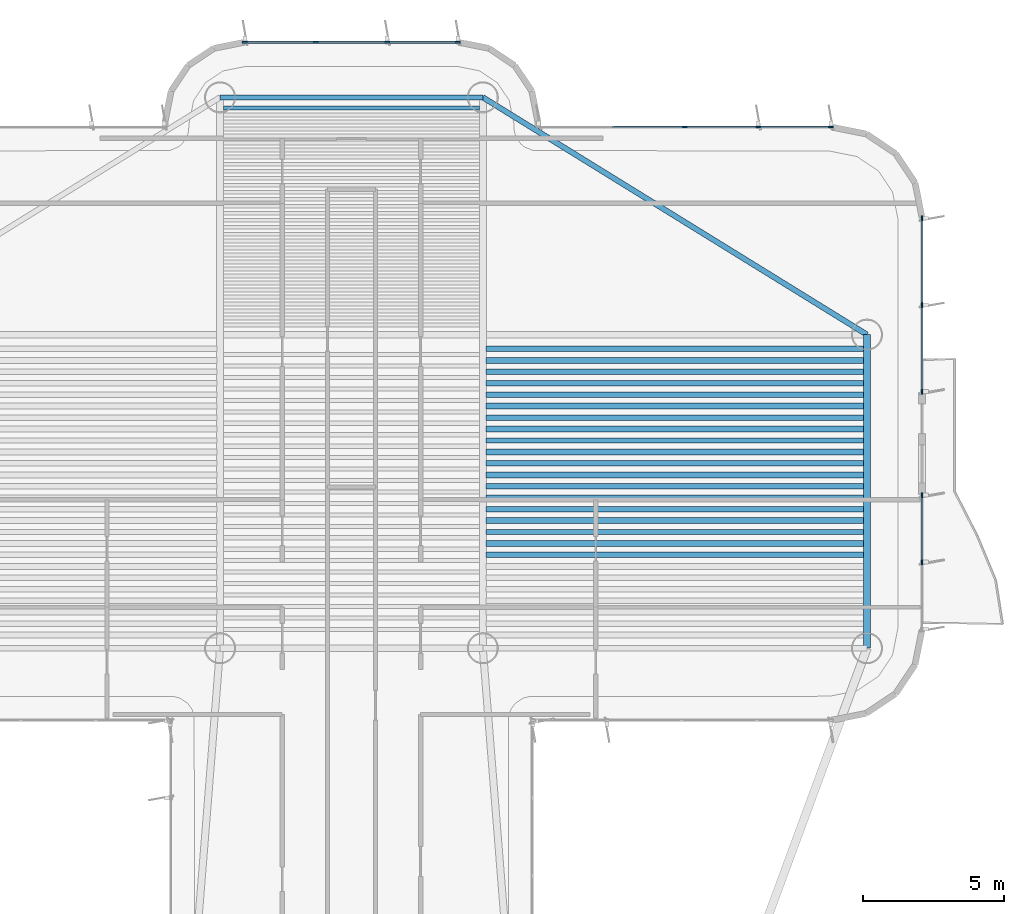
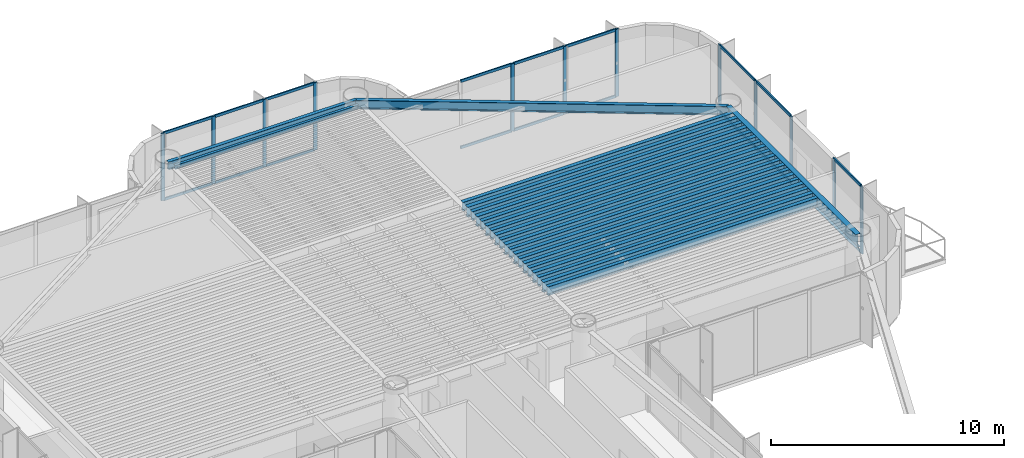
# One storey, part 7 of 14: 30 members, 23 beams, 4 elements without a shape of their own.
"""IFC4 building model written with IfcOpenShell, lengths in metres."""

from ifc_helpers import new_model, si_unit, direction, frame, origin, origin_2d, place, context, subcontext, project, spatial, rectangle, i_section, extrude, source, transform, mapped, material, layer, layer_set, material_profile, profile_set, type_object, element, aggregate, save


model = new_model("IFC4")

# Units and contexts
model_context = context("Model", 3, precision=1e-05, world=origin(), true_north=direction((0.0, 1.0)))
body_context = subcontext(model_context, "Body", "Model", "MODEL_VIEW")
ifc_project = project(units=[si_unit("LENGTHUNIT", "METRE"), si_unit("AREAUNIT", "SQUARE_METRE"), si_unit("VOLUMEUNIT", "CUBIC_METRE"), si_unit("PLANEANGLEUNIT", "RADIAN"), si_unit("MASSUNIT", "GRAM", prefix="KILO")], contexts=[model_context])

# Site, building, storey
site_placement = place(None, origin())
site = spatial("IfcSite", under=ifc_project, at=site_placement, CompositionType="ELEMENT")
building_placement = place(site_placement, origin())
building = spatial("IfcBuilding", under=site, at=building_placement, Name="Brelvock Crest Care Tower", CompositionType="ELEMENT")
storey_placement = place(building_placement, frame((0.0, 0.0, 179.10009765625)))
storey = spatial("IfcBuildingStorey", under=building, at=storey_placement, Name="L45", CompositionType="ELEMENT", Elevation=179.10009765625)

# Beams
ifc_material_1 = material(Name="Steel Grade 350", Category="steel")
ifc_material_profile_1 = material_profile(ifc_material_1, i_section(OverallWidth=0.177978515625, OverallDepth=0.406005859375, WebThickness=0.0078125, FlangeThickness=0.0126953125, FilletRadius=0.011474609375, at=origin_2d()), Name="410UB59.7")
ifc_profile_set_1 = profile_set([ifc_material_profile_1], Name="Steel Grade 350")
beam_type_1 = type_object("IfcBeamType", Name="BM-SP1", PredefinedType="SPANDREL", material=ifc_profile_set_1)
shared_shape_1 = source(origin(), body_context, "Body", "SweptSolid", [
    extrude(i_section(OverallWidth=0.177978515625, OverallDepth=0.406005859375, WebThickness=0.0078125, FlangeThickness=0.0126953125, FilletRadius=0.011474609375, at=origin_2d()), origin(), (0.0, 0.0, 1.0), 9.2998046875),
])
beam_1_placement = place(storey_placement, frame((31.35009765625, 54.449951171875, 3.326904296875), z_axis=(1.0, 0.0, 0.0), x_axis=(0.0, 1.0, 0.0)))
element("IfcBeam", 1, at=beam_1_placement, inside=storey, type_object=beam_type_1, Name="BM-TWR-L45-08", PredefinedType="SPANDREL", context=body_context, shape_type="MappedRepresentation", body=[
    mapped(shared_shape_1, transform((0.0, 0.0, 0.0), x_axis=(1.0, 0.0, 0.0), y_axis=(0.0, 1.0, 0.0), z_axis=(0.0, 0.0, 1.0), scale=1.0)),
])
ifc_material_profile_2 = material_profile(ifc_material_1, i_section(OverallWidth=0.134033203125, OverallDepth=0.20703125, WebThickness=0.00634765625, FlangeThickness=0.009521484375, FilletRadius=0.0087890625, at=origin_2d()), Name="200UB29.8")
ifc_profile_set_2 = profile_set([ifc_material_profile_2], Name="Steel Grade 350")
beam_type_2 = type_object("IfcBeamType", Name="BM-J4", PredefinedType="JOIST", material=ifc_profile_set_2)
shared_shape_2 = source(origin(), body_context, "Body", "SweptSolid", [
    extrude(i_section(OverallWidth=0.134033203125, OverallDepth=0.20703125, WebThickness=0.00634765625, FlangeThickness=0.009521484375, FilletRadius=0.0087890625, at=origin_2d()), origin(), (0.0, 0.0, 1.0), 9.06982421875),
])
beam_2_placement = place(storey_placement, frame((31.465087890625, 54.06787109375, 3.426513671875), z_axis=(1.0, 0.0, 0.0), x_axis=(0.0, 1.0, 0.0)))
element("IfcBeam", 2, at=beam_2_placement, inside=storey, type_object=beam_type_2, Name="BM-JN-L45-32", PredefinedType="JOIST", context=body_context, shape_type="MappedRepresentation", body=[
    mapped(shared_shape_2, transform((0.0, 0.0, 0.0), x_axis=(1.0, 0.0, 0.0), y_axis=(0.0, 1.0, 0.0), z_axis=(0.0, 0.0, 1.0), scale=1.0)),
])
ifc_material_profile_3 = material_profile(ifc_material_1, i_section(OverallWidth=0.208984375, OverallDepth=0.532958984375, WebThickness=0.01025390625, FlangeThickness=0.015625, FilletRadius=0.013916015625, at=origin_2d()), Name="530UB92.4")
ifc_profile_set_3 = profile_set([ifc_material_profile_3], Name="Steel Grade 350")
beam_type_3 = type_object("IfcBeamType", Name="BM-G2", PredefinedType="BEAM", material=ifc_profile_set_3)
shared_shape_3 = source(origin(), body_context, "Body", "SweptSolid", [
    extrude(i_section(OverallWidth=0.208984375, OverallDepth=0.532958984375, WebThickness=0.01025390625, FlangeThickness=0.015625, FilletRadius=0.013916015625, at=origin_2d()), origin(), (0.0, 0.0, 1.0), 13.3701171875),
])
for number, where, z_axis, x_axis, name in (
    (3, (40.764892578125, 38.657470703125, 3.263427734375), (1.0, 0.0, 0.0), (0.0, 1.0, 0.0), "BM-JE-L45-9"),
    (4, (40.764892578125, 39.4677734375, 3.263427734375), (1.0, 0.0, 0.0), (0.0, 1.0, 0.0), "BM-JE-L45-11"),
    (5, (40.764892578125, 40.278076171875, 3.263427734375), (1.0, 0.0, 0.0), (0.0, 1.0, 0.0), "BM-JE-L45-13"),
    (6, (40.764892578125, 41.08837890625, 3.263427734375), (1.0, 0.0, 0.0), (0.0, 1.0, 0.0), "BM-JE-L45-15"),
    (7, (40.764892578125, 41.898681640625, 3.263427734375), (1.0, 0.0, 0.0), (0.0, 1.0, 0.0), "BM-JE-L45-17"),
    (8, (40.764892578125, 42.708984375, 3.263427734375), (1.0, 0.0, 0.0), (0.0, 1.0, 0.0), "BM-JE-L45-19"),
    (9, (40.764892578125, 43.519287109375, 3.263427734375), (1.0, 0.0, 0.0), (0.0, 1.0, 0.0), "BM-JE-L45-21"),
    (10, (40.764892578125, 44.32958984375, 3.263427734375), (1.0, 0.0, 0.0), (0.0, 1.0, 0.0), "BM-JE-L45-23"),
    (11, (40.764892578125, 45.139892578125, 3.263427734375), (1.0, 0.0, 0.0), (0.0, 1.0, 0.0), "BM-JE-L45-25"),
):
    element("IfcBeam", number, at=place(storey_placement, frame(where, z_axis=z_axis, x_axis=x_axis)), inside=storey, type_object=beam_type_3, Name=name, PredefinedType="BEAM", context=body_context, shape_type="MappedRepresentation", body=[
        mapped(shared_shape_3, transform((0.0, 0.0, 0.0), x_axis=(1.0, 0.0, 0.0), y_axis=(0.0, 1.0, 0.0), z_axis=(0.0, 0.0, 1.0), scale=1.0)),
    ])
ifc_material_profile_4 = material_profile(ifc_material_1, i_section(OverallWidth=0.19091796875, OverallDepth=0.4599609375, WebThickness=0.010009765625, FlangeThickness=0.01611328125, FilletRadius=0.011474609375, at=origin_2d()), Name="460UB82.1")
ifc_profile_set_4 = profile_set([ifc_material_profile_4], Name="Steel Grade 350")
beam_type_4 = type_object("IfcBeamType", Name="BM-G3", PredefinedType="BEAM", material=ifc_profile_set_4)
shared_shape_4 = source(origin(), body_context, "Body", "SweptSolid", [
    extrude(i_section(OverallWidth=0.19091796875, OverallDepth=0.4599609375, WebThickness=0.010009765625, FlangeThickness=0.01611328125, FilletRadius=0.011474609375, at=origin_2d()), origin(), (0.0, 0.0, 1.0), 13.3701171875),
])
for number, where, z_axis, x_axis, name in (
    (12, (40.764892578125, 38.252197265625, 3.2998046875), (1.0, 0.0, 0.0), (0.0, 1.0, 0.0), "BM-JE-L45-8"),
    (13, (40.764892578125, 39.0625, 3.2998046875), (1.0, 0.0, 0.0), (0.0, 1.0, 0.0), "BM-JE-L45-10"),
    (14, (40.764892578125, 39.872802734375, 3.2998046875), (1.0, 0.0, 0.0), (0.0, 1.0, 0.0), "BM-JE-L45-12"),
    (15, (40.764892578125, 40.68310546875, 3.2998046875), (1.0, 0.0, 0.0), (0.0, 1.0, 0.0), "BM-JE-L45-14"),
    (16, (40.764892578125, 41.493408203125, 3.2998046875), (1.0, 0.0, 0.0), (0.0, 1.0, 0.0), "BM-JE-L45-16"),
    (17, (40.764892578125, 42.3037109375, 3.2998046875), (1.0, 0.0, 0.0), (0.0, 1.0, 0.0), "BM-JE-L45-18"),
    (18, (40.764892578125, 43.114013671875, 3.2998046875), (1.0, 0.0, 0.0), (0.0, 1.0, 0.0), "BM-JE-L45-20"),
    (19, (40.764892578125, 43.92431640625, 3.2998046875), (1.0, 0.0, 0.0), (0.0, 1.0, 0.0), "BM-JE-L45-22"),
    (20, (40.764892578125, 44.734619140625, 3.2998046875), (1.0, 0.0, 0.0), (0.0, 1.0, 0.0), "BM-JE-L45-24"),
    (21, (40.764892578125, 45.544921875, 3.2998046875), (1.0, 0.0, 0.0), (0.0, 1.0, 0.0), "BM-JE-L45-26"),
):
    element("IfcBeam", number, at=place(storey_placement, frame(where, z_axis=z_axis, x_axis=x_axis)), inside=storey, type_object=beam_type_4, Name=name, PredefinedType="BEAM", context=body_context, shape_type="MappedRepresentation", body=[
        mapped(shared_shape_4, transform((0.0, 0.0, 0.0), x_axis=(1.0, 0.0, 0.0), y_axis=(0.0, 1.0, 0.0), z_axis=(0.0, 0.0, 1.0), scale=1.0)),
    ])
ifc_material_profile_5 = material_profile(ifc_material_1, i_section(OverallWidth=0.25, OverallDepth=0.699951171875, WebThickness=0.011962890625, FlangeThickness=0.02001953125, at=origin_2d()), Name="700WB150")
ifc_profile_set_5 = profile_set([ifc_material_profile_5], Name="Steel Grade 350")
beam_type_5 = type_object("IfcBeamType", Name="BM-G4", PredefinedType="BEAM", material=ifc_profile_set_5)
shared_shape_5 = source(origin(), body_context, "Body", "SweptSolid", [
    extrude(i_section(OverallWidth=0.25, OverallDepth=0.699951171875, WebThickness=0.011962890625, FlangeThickness=0.02001953125, at=origin_2d()), origin(), (0.0, 0.0, 1.0), 11.10009765625),
])
beam_3_placement = place(storey_placement, frame((54.25, 34.949951171875, 3.179931640625), z_axis=(0.0, 1.0, 0.0), x_axis=(-1.0, 0.0, 0.0)))
element("IfcBeam", 22, at=beam_3_placement, inside=storey, type_object=beam_type_5, Name="BM-TWR-L45-02", PredefinedType="BEAM", context=body_context, shape_type="MappedRepresentation", body=[
    mapped(shared_shape_5, transform((0.0, 0.0, 0.0), x_axis=(1.0, 0.0, 0.0), y_axis=(0.0, 1.0, 0.0), z_axis=(0.0, 0.0, 1.0), scale=1.0)),
])
ifc_material_profile_6 = material_profile(ifc_material_1, i_section(OverallWidth=0.19091796875, OverallDepth=0.4599609375, WebThickness=0.010009765625, FlangeThickness=0.01611328125, FilletRadius=0.011474609375, at=origin_2d()), Name="460UB82.1")
ifc_profile_set_6 = profile_set([ifc_material_profile_6], Name="Steel Grade 350")
beam_type_6 = type_object("IfcBeamType", Name="BM-SP2", PredefinedType="SPANDREL", material=ifc_profile_set_6)
shared_shape_6 = source(origin(), body_context, "Body", "SweptSolid", [
    extrude(i_section(OverallWidth=0.19091796875, OverallDepth=0.4599609375, WebThickness=0.010009765625, FlangeThickness=0.01611328125, FilletRadius=0.011474609375, at=origin_2d()), origin(), (0.0, 0.0, 1.0), 15.985107421875),
])
beam_4_placement = place(storey_placement, frame((40.64990234375, 54.449951171875, 3.2998046875), z_axis=(0.850802415717, -0.525485727124, 0.0), x_axis=(0.525485727124, 0.850802415717, 0.0)))
element("IfcBeam", 23, at=beam_4_placement, inside=storey, type_object=beam_type_6, Name="BM-TWR-L45-07", PredefinedType="SPANDREL", context=body_context, shape_type="MappedRepresentation", body=[
    mapped(shared_shape_6, transform((0.0, 0.0, 0.0), x_axis=(1.0, 0.0, 0.0), y_axis=(0.0, 1.0, 0.0), z_axis=(0.0, 0.0, 1.0), scale=1.0)),
])

# Curtain wall, members
ifc_material_2 = material(Name="Dark Glass Double Glazed Low-E", Category="glass")
ifc_layer = layer(ifc_material_2, 0.22509765625, Name="CWS-4")
ifc_layer_set = layer_set([ifc_layer], Name="Dark Glass Double Glazed Low-E")
curtain_wall_type = type_object("IfcCurtainWallType", Name="CWS-4", PredefinedType="NOTDEFINED", material=ifc_layer_set)
curtain_wall_1_placement = place(storey_placement, origin())
curtain_wall_1 = element("IfcCurtainWall", 24, at=curtain_wall_1_placement, inside=storey, type_object=curtain_wall_type, Name="L45 Curtain Wall E28", PredefinedType="NOTDEFINED")
ifc_material_3 = material(Name="Aluminium 6063-T6", Category="aluminium")
ifc_material_profile_7 = material_profile(ifc_material_3, rectangle(XDim=0.06005859375, YDim=0.139892578125, at=origin_2d()), Name="ALU60x140")
ifc_profile_set_7 = profile_set([ifc_material_profile_7], Name="Aluminium 6063-T6")
member_type_1 = type_object("IfcMemberType", Name="CWT-2", PredefinedType="USERDEFINED", material=ifc_profile_set_7)
shared_shape_7 = source(origin(), body_context, "Body", "SweptSolid", [
    extrude(rectangle(XDim=0.06005859375, YDim=0.139892578125, at=origin_2d()), origin(), (0.0, 0.0, 1.0), 2.443359375),
])
member_1_placement = place(storey_placement, frame((32.260009765625, 56.39990234375, 0.02978515625), z_axis=(1.0, 0.0, 0.0), x_axis=(0.0, 1.0, 0.0)))
member_1 = element("IfcMember", 25, at=member_1_placement, type_object=member_type_1, Name="CW-4 transom 1.1", ObjectType="TRANSOM", PredefinedType="USERDEFINED", context=body_context, shape_type="MappedRepresentation", body=[
    mapped(shared_shape_7, transform((0.0, 0.0, 0.0), x_axis=(1.0, 0.0, 0.0), y_axis=(0.0, 1.0, 0.0), z_axis=(0.0, 0.0, 1.0), scale=1.0)),
])
member_2_placement = place(storey_placement, frame((32.260009765625, 56.39990234375, 3.5), z_axis=(1.0, 0.0, 0.0), x_axis=(0.0, 1.0, 0.0)))
member_2 = element("IfcMember", 26, at=member_2_placement, type_object=member_type_1, Name="CW-4 transom 1.2", ObjectType="TRANSOM", PredefinedType="USERDEFINED", context=body_context, shape_type="MappedRepresentation", body=[
    mapped(shared_shape_7, transform((0.0, 0.0, 0.0), x_axis=(1.0, 0.0, 0.0), y_axis=(0.0, 1.0, 0.0), z_axis=(0.0, 0.0, 1.0), scale=1.0)),
])
member_3_placement = place(storey_placement, frame((37.296630859375, 56.39990234375, 0.02978515625), z_axis=(1.0, 0.0, 0.0), x_axis=(0.0, 1.0, 0.0)))
member_3 = element("IfcMember", 27, at=member_3_placement, type_object=member_type_1, Name="CW-4 transom 3.1", ObjectType="TRANSOM", PredefinedType="USERDEFINED", context=body_context, shape_type="MappedRepresentation", body=[
    mapped(shared_shape_7, transform((0.0, 0.0, 0.0), x_axis=(1.0, 0.0, 0.0), y_axis=(0.0, 1.0, 0.0), z_axis=(0.0, 0.0, 1.0), scale=1.0)),
])
member_4_placement = place(storey_placement, frame((37.296630859375, 56.39990234375, 3.5), z_axis=(1.0, 0.0, 0.0), x_axis=(0.0, 1.0, 0.0)))
member_4 = element("IfcMember", 28, at=member_4_placement, type_object=member_type_1, Name="CW-4 transom 3.2", ObjectType="TRANSOM", PredefinedType="USERDEFINED", context=body_context, shape_type="MappedRepresentation", body=[
    mapped(shared_shape_7, transform((0.0, 0.0, 0.0), x_axis=(1.0, 0.0, 0.0), y_axis=(0.0, 1.0, 0.0), z_axis=(0.0, 0.0, 1.0), scale=1.0)),
])
shared_shape_8 = source(origin(), body_context, "Body", "SweptSolid", [
    extrude(rectangle(XDim=0.06005859375, YDim=0.139892578125, at=origin_2d()), origin(), (0.0, 0.0, 1.0), 2.47314453125),
])
member_5_placement = place(storey_placement, frame((34.763427734375, 56.39990234375, 0.02978515625), z_axis=(1.0, 0.0, 0.0), x_axis=(0.0, 1.0, 0.0)))
member_5 = element("IfcMember", 29, at=member_5_placement, type_object=member_type_1, Name="CW-4 transom 2.1", ObjectType="TRANSOM", PredefinedType="USERDEFINED", context=body_context, shape_type="MappedRepresentation", body=[
    mapped(shared_shape_8, transform((0.0, 0.0, 0.0), x_axis=(1.0, 0.0, 0.0), y_axis=(0.0, 1.0, 0.0), z_axis=(0.0, 0.0, 1.0), scale=1.0)),
])
member_6_placement = place(storey_placement, frame((34.763427734375, 56.39990234375, 3.5), z_axis=(1.0, 0.0, 0.0), x_axis=(0.0, 1.0, 0.0)))
member_6 = element("IfcMember", 30, at=member_6_placement, type_object=member_type_1, Name="CW-4 transom 2.2", ObjectType="TRANSOM", PredefinedType="USERDEFINED", context=body_context, shape_type="MappedRepresentation", body=[
    mapped(shared_shape_8, transform((0.0, 0.0, 0.0), x_axis=(1.0, 0.0, 0.0), y_axis=(0.0, 1.0, 0.0), z_axis=(0.0, 0.0, 1.0), scale=1.0)),
])
ifc_material_profile_8 = material_profile(ifc_material_3, rectangle(XDim=0.06005859375, YDim=0.179931640625, at=origin_2d()), Name="ALU60x180")
ifc_profile_set_8 = profile_set([ifc_material_profile_8], Name="Aluminium 6063-T6")
member_type_2 = type_object("IfcMemberType", Name="CWM-2", PredefinedType="MULLION", material=ifc_profile_set_8)
shared_shape_9 = source(origin(), body_context, "Body", "SweptSolid", [
    extrude(rectangle(XDim=0.06005859375, YDim=0.179931640625, at=origin_2d()), origin(), (0.0, 0.0, 1.0), 3.52978515625),
])
member_7_placement = place(storey_placement, frame((32.22998046875, 56.39990234375, 0.0), z_axis=(0.0, 0.0, 1.0), x_axis=(0.0, 1.0, 0.0)))
member_7 = element("IfcMember", 31, at=member_7_placement, type_object=member_type_2, Name="CW-4 mullion 1", PredefinedType="MULLION", context=body_context, shape_type="MappedRepresentation", body=[
    mapped(shared_shape_9, transform((0.0, 0.0, 0.0), x_axis=(1.0, 0.0, 0.0), y_axis=(0.0, 1.0, 0.0), z_axis=(0.0, 0.0, 1.0), scale=1.0)),
])
member_8_placement = place(storey_placement, frame((34.7333984375, 56.39990234375, 0.0), z_axis=(0.0, 0.0, 1.0), x_axis=(0.0, 1.0, 0.0)))
member_8 = element("IfcMember", 32, at=member_8_placement, type_object=member_type_2, Name="CW-4 mullion 2", PredefinedType="MULLION", context=body_context, shape_type="MappedRepresentation", body=[
    mapped(shared_shape_9, transform((0.0, 0.0, 0.0), x_axis=(1.0, 0.0, 0.0), y_axis=(0.0, 1.0, 0.0), z_axis=(0.0, 0.0, 1.0), scale=1.0)),
])
member_9_placement = place(storey_placement, frame((37.2666015625, 56.39990234375, 0.0), z_axis=(0.0, 0.0, 1.0), x_axis=(0.0, 1.0, 0.0)))
member_9 = element("IfcMember", 33, at=member_9_placement, type_object=member_type_2, Name="CW-4 mullion 3", PredefinedType="MULLION", context=body_context, shape_type="MappedRepresentation", body=[
    mapped(shared_shape_9, transform((0.0, 0.0, 0.0), x_axis=(1.0, 0.0, 0.0), y_axis=(0.0, 1.0, 0.0), z_axis=(0.0, 0.0, 1.0), scale=1.0)),
])
member_10_placement = place(storey_placement, frame((39.77001953125, 56.39990234375, 0.0), z_axis=(0.0, 0.0, 1.0), x_axis=(0.0, 1.0, 0.0)))
member_10 = element("IfcMember", 34, at=member_10_placement, type_object=member_type_2, Name="CW-4 mullion 4", PredefinedType="MULLION", context=body_context, shape_type="MappedRepresentation", body=[
    mapped(shared_shape_9, transform((0.0, 0.0, 0.0), x_axis=(1.0, 0.0, 0.0), y_axis=(0.0, 1.0, 0.0), z_axis=(0.0, 0.0, 1.0), scale=1.0)),
])
aggregate(curtain_wall_1, [member_7, member_8, member_9, member_10, member_1, member_2, member_5, member_6, member_3, member_4])

curtain_wall_2_placement = place(storey_placement, origin())
curtain_wall_2 = element("IfcCurtainWall", 35, at=curtain_wall_2_placement, inside=storey, type_object=curtain_wall_type, Name="L45 Curtain Wall E34", PredefinedType="NOTDEFINED")
member_11_placement = place(storey_placement, frame((47.800048828125, 53.39990234375, 0.0), z_axis=(0.0, 0.0, 1.0), x_axis=(0.0, 1.0, 0.0)))
member_11 = element("IfcMember", 36, at=member_11_placement, type_object=member_type_2, Name="CW-4 mullion 3", PredefinedType="MULLION", context=body_context, shape_type="MappedRepresentation", body=[
    mapped(shared_shape_9, transform((0.0, 0.0, 0.0), x_axis=(1.0, 0.0, 0.0), y_axis=(0.0, 1.0, 0.0), z_axis=(0.0, 0.0, 1.0), scale=1.0)),
])
member_12_placement = place(storey_placement, frame((50.39990234375, 53.39990234375, 0.0), z_axis=(0.0, 0.0, 1.0), x_axis=(0.0, 1.0, 0.0)))
member_12 = element("IfcMember", 37, at=member_12_placement, type_object=member_type_2, Name="CW-4 mullion 4", PredefinedType="MULLION", context=body_context, shape_type="MappedRepresentation", body=[
    mapped(shared_shape_9, transform((0.0, 0.0, 0.0), x_axis=(1.0, 0.0, 0.0), y_axis=(0.0, 1.0, 0.0), z_axis=(0.0, 0.0, 1.0), scale=1.0)),
])
member_13_placement = place(storey_placement, frame((52.969970703125, 53.39990234375, 0.0), z_axis=(0.0, 0.0, 1.0), x_axis=(0.0, 1.0, 0.0)))
member_13 = element("IfcMember", 38, at=member_13_placement, type_object=member_type_2, Name="CW-4 mullion 5", PredefinedType="MULLION", context=body_context, shape_type="MappedRepresentation", body=[
    mapped(shared_shape_9, transform((0.0, 0.0, 0.0), x_axis=(1.0, 0.0, 0.0), y_axis=(0.0, 1.0, 0.0), z_axis=(0.0, 0.0, 1.0), scale=1.0)),
])

curtain_wall_3_placement = place(storey_placement, origin())
curtain_wall_3 = element("IfcCurtainWall", 39, at=curtain_wall_3_placement, inside=storey, type_object=curtain_wall_type, Name="L45 Curtain Wall E39A", PredefinedType="NOTDEFINED")
member_14_placement = place(storey_placement, frame((56.199951171875, 50.169921875, 0.0), z_axis=(0.0, 0.0, 1.0), x_axis=(1.0, 0.0, 0.0)))
member_14 = element("IfcMember", 40, at=member_14_placement, type_object=member_type_2, Name="CW-4 mullion 1", PredefinedType="MULLION", context=body_context, shape_type="MappedRepresentation", body=[
    mapped(shared_shape_9, transform((0.0, 0.0, 0.0), x_axis=(1.0, 0.0, 0.0), y_axis=(0.0, 1.0, 0.0), z_axis=(0.0, 0.0, 1.0), scale=1.0)),
])
member_15_placement = place(storey_placement, frame((56.199951171875, 47.10009765625, 0.0), z_axis=(0.0, 0.0, 1.0), x_axis=(1.0, 0.0, 0.0)))
member_15 = element("IfcMember", 41, at=member_15_placement, type_object=member_type_2, Name="CW-4 mullion 2", PredefinedType="MULLION", context=body_context, shape_type="MappedRepresentation", body=[
    mapped(shared_shape_9, transform((0.0, 0.0, 0.0), x_axis=(1.0, 0.0, 0.0), y_axis=(0.0, 1.0, 0.0), z_axis=(0.0, 0.0, 1.0), scale=1.0)),
])
member_16_placement = place(storey_placement, frame((56.199951171875, 44.030029296875, 0.0), z_axis=(0.0, 0.0, 1.0), x_axis=(1.0, 0.0, 0.0)))
member_16 = element("IfcMember", 42, at=member_16_placement, type_object=member_type_2, Name="CW-4 mullion 3", PredefinedType="MULLION", context=body_context, shape_type="MappedRepresentation", body=[
    mapped(shared_shape_9, transform((0.0, 0.0, 0.0), x_axis=(1.0, 0.0, 0.0), y_axis=(0.0, 1.0, 0.0), z_axis=(0.0, 0.0, 1.0), scale=1.0)),
])

curtain_wall_4_placement = place(storey_placement, origin())
curtain_wall_4 = element("IfcCurtainWall", 43, at=curtain_wall_4_placement, inside=storey, type_object=curtain_wall_type, Name="L45 Curtain Wall E39B", PredefinedType="NOTDEFINED")
member_17_placement = place(storey_placement, frame((56.199951171875, 40.3701171875, 0.0), z_axis=(0.0, 0.0, 1.0), x_axis=(1.0, 0.0, 0.0)))
member_17 = element("IfcMember", 44, at=member_17_placement, type_object=member_type_2, Name="CW-4 mullion 1", PredefinedType="MULLION", context=body_context, shape_type="MappedRepresentation", body=[
    mapped(shared_shape_9, transform((0.0, 0.0, 0.0), x_axis=(1.0, 0.0, 0.0), y_axis=(0.0, 1.0, 0.0), z_axis=(0.0, 0.0, 1.0), scale=1.0)),
])
member_18_placement = place(storey_placement, frame((56.199951171875, 38.0, 0.0), z_axis=(0.0, 0.0, 1.0), x_axis=(1.0, 0.0, 0.0)))
member_18 = element("IfcMember", 45, at=member_18_placement, type_object=member_type_2, Name="CW-4 mullion 2", PredefinedType="MULLION", context=body_context, shape_type="MappedRepresentation", body=[
    mapped(shared_shape_9, transform((0.0, 0.0, 0.0), x_axis=(1.0, 0.0, 0.0), y_axis=(0.0, 1.0, 0.0), z_axis=(0.0, 0.0, 1.0), scale=1.0)),
])

# Member
shared_shape_10 = source(origin(), body_context, "Body", "SweptSolid", [
    extrude(rectangle(XDim=0.06005859375, YDim=0.139892578125, at=origin_2d()), origin(), (0.0, 0.0, 1.0), 2.510009765625),
])
member_19_placement = place(storey_placement, frame((50.429931640625, 53.39990234375, 0.02978515625), z_axis=(1.0, 0.0, 0.0), x_axis=(0.0, 1.0, 0.0)))
member_19 = element("IfcMember", 46, at=member_19_placement, type_object=member_type_1, Name="CW-4 transom 4.1", ObjectType="TRANSOM", PredefinedType="USERDEFINED", context=body_context, shape_type="MappedRepresentation", body=[
    mapped(shared_shape_10, transform((0.0, 0.0, 0.0), x_axis=(1.0, 0.0, 0.0), y_axis=(0.0, 1.0, 0.0), z_axis=(0.0, 0.0, 1.0), scale=1.0)),
])

member_20_placement = place(storey_placement, frame((50.429931640625, 53.39990234375, 3.5), z_axis=(1.0, 0.0, 0.0), x_axis=(0.0, 1.0, 0.0)))
member_20 = element("IfcMember", 47, at=member_20_placement, type_object=member_type_1, Name="CW-4 transom 4.2", ObjectType="TRANSOM", PredefinedType="USERDEFINED", context=body_context, shape_type="MappedRepresentation", body=[
    mapped(shared_shape_10, transform((0.0, 0.0, 0.0), x_axis=(1.0, 0.0, 0.0), y_axis=(0.0, 1.0, 0.0), z_axis=(0.0, 0.0, 1.0), scale=1.0)),
])

shared_shape_11 = source(origin(), body_context, "Body", "SweptSolid", [
    extrude(rectangle(XDim=0.06005859375, YDim=0.139892578125, at=origin_2d()), origin(), (0.0, 0.0, 1.0), 2.5400390625),
])
member_21_placement = place(storey_placement, frame((45.22998046875, 53.39990234375, 0.02978515625), z_axis=(1.0, 0.0, 0.0), x_axis=(0.0, 1.0, 0.0)))
member_21 = element("IfcMember", 48, at=member_21_placement, type_object=member_type_1, Name="CW-4 transom 2.1", ObjectType="TRANSOM", PredefinedType="USERDEFINED", context=body_context, shape_type="MappedRepresentation", body=[
    mapped(shared_shape_11, transform((0.0, 0.0, 0.0), x_axis=(1.0, 0.0, 0.0), y_axis=(0.0, 1.0, 0.0), z_axis=(0.0, 0.0, 1.0), scale=1.0)),
])

member_22_placement = place(storey_placement, frame((45.22998046875, 53.39990234375, 3.5), z_axis=(1.0, 0.0, 0.0), x_axis=(0.0, 1.0, 0.0)))
member_22 = element("IfcMember", 49, at=member_22_placement, type_object=member_type_1, Name="CW-4 transom 2.2", ObjectType="TRANSOM", PredefinedType="USERDEFINED", context=body_context, shape_type="MappedRepresentation", body=[
    mapped(shared_shape_11, transform((0.0, 0.0, 0.0), x_axis=(1.0, 0.0, 0.0), y_axis=(0.0, 1.0, 0.0), z_axis=(0.0, 0.0, 1.0), scale=1.0)),
])

member_23_placement = place(storey_placement, frame((47.830078125, 53.39990234375, 0.02978515625), z_axis=(1.0, 0.0, 0.0), x_axis=(0.0, 1.0, 0.0)))
member_23 = element("IfcMember", 50, at=member_23_placement, type_object=member_type_1, Name="CW-4 transom 3.1", ObjectType="TRANSOM", PredefinedType="USERDEFINED", context=body_context, shape_type="MappedRepresentation", body=[
    mapped(shared_shape_11, transform((0.0, 0.0, 0.0), x_axis=(1.0, 0.0, 0.0), y_axis=(0.0, 1.0, 0.0), z_axis=(0.0, 0.0, 1.0), scale=1.0)),
])

member_24_placement = place(storey_placement, frame((47.830078125, 53.39990234375, 3.5), z_axis=(1.0, 0.0, 0.0), x_axis=(0.0, 1.0, 0.0)))
member_24 = element("IfcMember", 51, at=member_24_placement, type_object=member_type_1, Name="CW-4 transom 3.2", ObjectType="TRANSOM", PredefinedType="USERDEFINED", context=body_context, shape_type="MappedRepresentation", body=[
    mapped(shared_shape_11, transform((0.0, 0.0, 0.0), x_axis=(1.0, 0.0, 0.0), y_axis=(0.0, 1.0, 0.0), z_axis=(0.0, 0.0, 1.0), scale=1.0)),
])

aggregate(curtain_wall_2, [member_11, member_12, member_13, member_21, member_22, member_23, member_24, member_19, member_20])

shared_shape_12 = source(origin(), body_context, "Body", "SweptSolid", [
    extrude(rectangle(XDim=0.06005859375, YDim=0.139892578125, at=origin_2d()), origin(), (0.0, 0.0, 1.0), 2.31005859375),
])
member_25_placement = place(storey_placement, frame((56.199951171875, 40.340087890625, 0.02978515625), z_axis=(0.0, -1.0, 0.0), x_axis=(1.0, 0.0, 0.0)))
member_25 = element("IfcMember", 52, at=member_25_placement, type_object=member_type_1, Name="CW-4 transom 1.1", ObjectType="TRANSOM", PredefinedType="USERDEFINED", context=body_context, shape_type="MappedRepresentation", body=[
    mapped(shared_shape_12, transform((0.0, 0.0, 0.0), x_axis=(1.0, 0.0, 0.0), y_axis=(0.0, 1.0, 0.0), z_axis=(0.0, 0.0, 1.0), scale=1.0)),
])

member_26_placement = place(storey_placement, frame((56.199951171875, 40.340087890625, 3.5), z_axis=(0.0, -1.0, 0.0), x_axis=(1.0, 0.0, 0.0)))
member_26 = element("IfcMember", 53, at=member_26_placement, type_object=member_type_1, Name="CW-4 transom 1.2", ObjectType="TRANSOM", PredefinedType="USERDEFINED", context=body_context, shape_type="MappedRepresentation", body=[
    mapped(shared_shape_12, transform((0.0, 0.0, 0.0), x_axis=(1.0, 0.0, 0.0), y_axis=(0.0, 1.0, 0.0), z_axis=(0.0, 0.0, 1.0), scale=1.0)),
])

aggregate(curtain_wall_4, [member_17, member_18, member_25, member_26])

shared_shape_13 = source(origin(), body_context, "Body", "SweptSolid", [
    extrude(rectangle(XDim=0.06005859375, YDim=0.139892578125, at=origin_2d()), origin(), (0.0, 0.0, 1.0), 3.010009765625),
])
member_27_placement = place(storey_placement, frame((56.199951171875, 50.139892578125, 0.02978515625), z_axis=(0.0, -1.0, 0.0), x_axis=(1.0, 0.0, 0.0)))
member_27 = element("IfcMember", 54, at=member_27_placement, type_object=member_type_1, Name="CW-4 transom 1.1", ObjectType="TRANSOM", PredefinedType="USERDEFINED", context=body_context, shape_type="MappedRepresentation", body=[
    mapped(shared_shape_13, transform((0.0, 0.0, 0.0), x_axis=(1.0, 0.0, 0.0), y_axis=(0.0, 1.0, 0.0), z_axis=(0.0, 0.0, 1.0), scale=1.0)),
])

member_28_placement = place(storey_placement, frame((56.199951171875, 50.139892578125, 3.5), z_axis=(0.0, -1.0, 0.0), x_axis=(1.0, 0.0, 0.0)))
member_28 = element("IfcMember", 55, at=member_28_placement, type_object=member_type_1, Name="CW-4 transom 1.2", ObjectType="TRANSOM", PredefinedType="USERDEFINED", context=body_context, shape_type="MappedRepresentation", body=[
    mapped(shared_shape_13, transform((0.0, 0.0, 0.0), x_axis=(1.0, 0.0, 0.0), y_axis=(0.0, 1.0, 0.0), z_axis=(0.0, 0.0, 1.0), scale=1.0)),
])

member_29_placement = place(storey_placement, frame((56.199951171875, 47.070068359375, 0.02978515625), z_axis=(0.0, -1.0, 0.0), x_axis=(1.0, 0.0, 0.0)))
member_29 = element("IfcMember", 56, at=member_29_placement, type_object=member_type_1, Name="CW-4 transom 2.1", ObjectType="TRANSOM", PredefinedType="USERDEFINED", context=body_context, shape_type="MappedRepresentation", body=[
    mapped(shared_shape_13, transform((0.0, 0.0, 0.0), x_axis=(1.0, 0.0, 0.0), y_axis=(0.0, 1.0, 0.0), z_axis=(0.0, 0.0, 1.0), scale=1.0)),
])

member_30_placement = place(storey_placement, frame((56.199951171875, 47.070068359375, 3.5), z_axis=(0.0, -1.0, 0.0), x_axis=(1.0, 0.0, 0.0)))
member_30 = element("IfcMember", 57, at=member_30_placement, type_object=member_type_1, Name="CW-4 transom 2.2", ObjectType="TRANSOM", PredefinedType="USERDEFINED", context=body_context, shape_type="MappedRepresentation", body=[
    mapped(shared_shape_13, transform((0.0, 0.0, 0.0), x_axis=(1.0, 0.0, 0.0), y_axis=(0.0, 1.0, 0.0), z_axis=(0.0, 0.0, 1.0), scale=1.0)),
])

aggregate(curtain_wall_3, [member_14, member_15, member_16, member_27, member_28, member_29, member_30])

save(model, "model.ifc")
